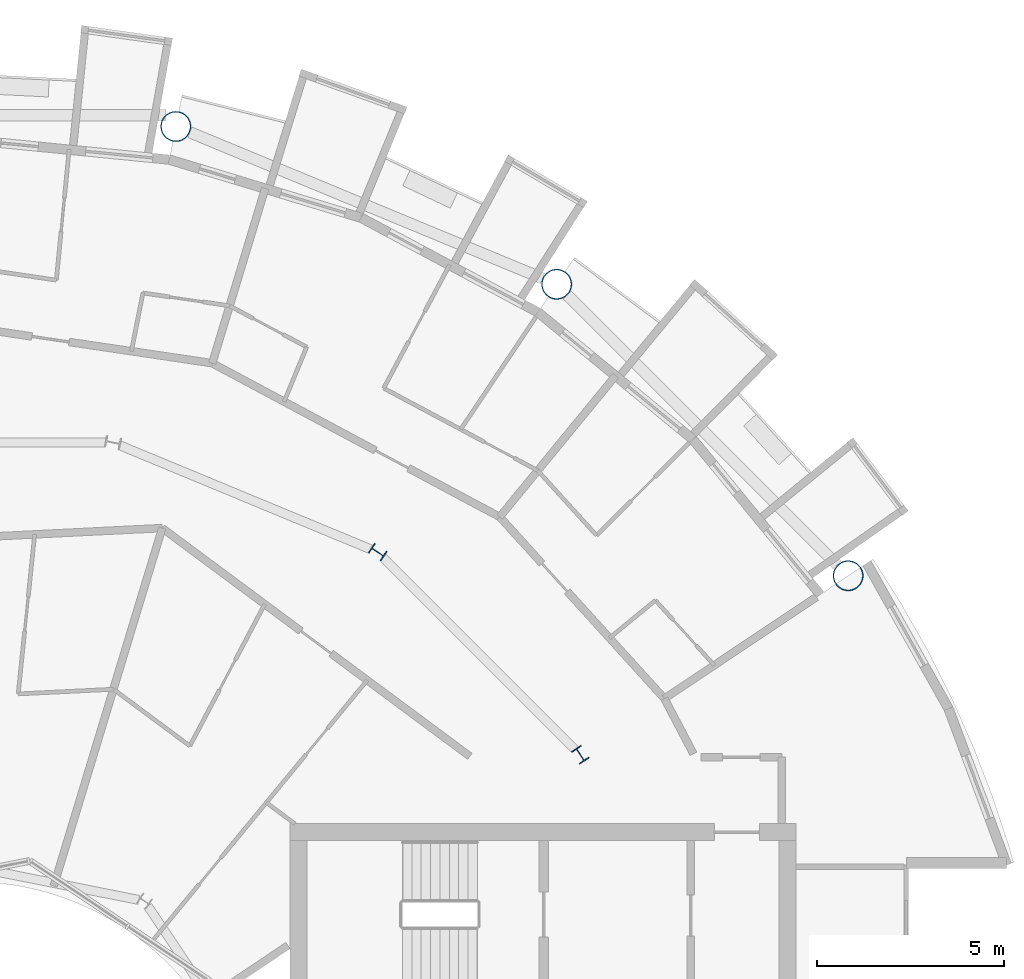
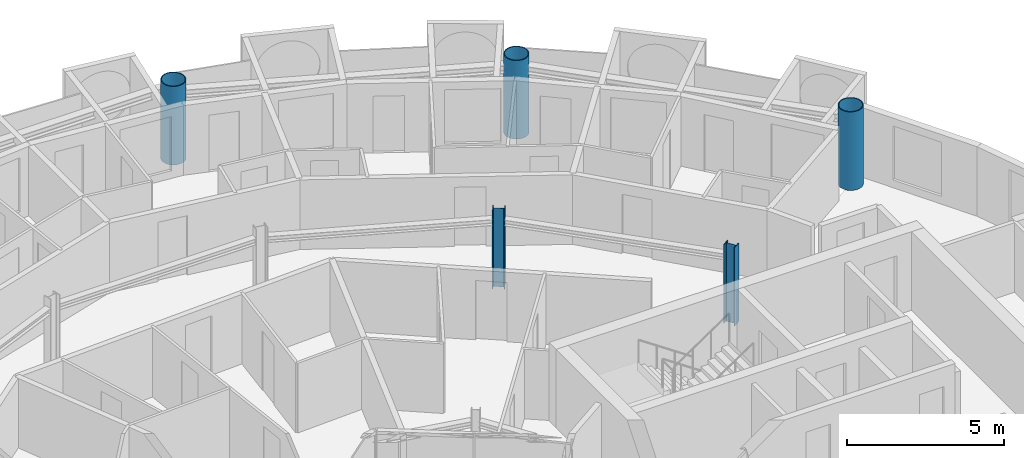
# One storey, part 5 of 29: 5 columns.
"""IFC4 building model written with IfcOpenShell, lengths in metres."""

from ifc_helpers import new_model, si_unit, direction, frame, origin, origin_2d, place, context, subcontext, project, spatial, hollow_circle, i_section, extrude, material, material_profile, profile_set, type_object, element, save


model = new_model("IFC4")

# Units and contexts
model_context = context("Model", 3, precision=1e-05, world=origin(), true_north=direction((0.0, 1.0)))
body_context = subcontext(model_context, "Body", "Model", "MODEL_VIEW")
ifc_project = project(units=[si_unit("LENGTHUNIT", "METRE"), si_unit("AREAUNIT", "SQUARE_METRE"), si_unit("VOLUMEUNIT", "CUBIC_METRE"), si_unit("PLANEANGLEUNIT", "RADIAN"), si_unit("MASSUNIT", "GRAM", prefix="KILO")], contexts=[model_context])

# Site, building, storey
site_placement = place(None, origin())
site = spatial("IfcSite", under=ifc_project, at=site_placement, CompositionType="ELEMENT")
building_placement = place(site_placement, origin())
building = spatial("IfcBuilding", under=site, at=building_placement, Name="Maasbend Ring Residences", CompositionType="ELEMENT")
storey_placement = place(building_placement, frame((0.0, 0.0, 202.39990234375)))
storey = spatial("IfcBuildingStorey", under=building, at=storey_placement, Name="L58", CompositionType="ELEMENT", Elevation=202.39990234375)

# Columns
ifc_material_1 = material(Name="Composite concrete-filled steel tube S460NH / C80/95", Category="concrete")
ifc_material_profile_1 = material_profile(ifc_material_1, hollow_circle(Radius=0.406494140625, WallThickness=0.030029296875, at=origin_2d()), Name="Composite tube column CHS 813x30")
ifc_profile_set_1 = profile_set([ifc_material_profile_1], Name="Composite concrete-filled steel tube S460NH / C80/95")
column_type_1 = type_object("IfcColumnType", Name="Composite tube column CHS 813x30", PredefinedType="COLUMN", material=ifc_profile_set_1)
for number, where, z_axis, x_axis, name in (
    (1, (23.447509765625, 15.6669921875, 0.0), (0.0, 0.0, 1.0), (1.0, 0.0, 0.0), "Outer column R2"),
    (2, (15.6669921875, 23.447509765625, 0.0), (0.0, 0.0, 1.0), (1.0, 0.0, 0.0), "Outer column R3"),
    (3, (5.50146484375, 27.658203125, 0.0), (0.0, 0.0, 1.0), (1.0, 0.0, 0.0), "Outer column R4"),
):
    element("IfcColumn", number, at=place(storey_placement, frame(where, z_axis=z_axis, x_axis=x_axis)), inside=storey, type_object=column_type_1, Name=name, PredefinedType="COLUMN", context=body_context, shape_type="SweptSolid", body=[
        extrude(hollow_circle(Radius=0.406494140625, WallThickness=0.030029296875, at=origin_2d()), origin(), (0.0, 0.0, 1.0), 3.050048828125),
    ])
ifc_material_2 = material(Name="Steel S355J2", Category="steel")
ifc_material_profile_2 = material_profile(ifc_material_2, i_section(OverallWidth=0.300048828125, OverallDepth=0.39990234375, WebThickness=0.013427734375, FlangeThickness=0.02392578125, FilletRadius=0.027099609375, at=origin_2d()), Name="HEB 400")
ifc_profile_set_2 = profile_set([ifc_material_profile_2], Name="Steel S355J2")
column_type_2 = type_object("IfcColumnType", Name="Steel column HEB 400", PredefinedType="COLUMN", material=ifc_profile_set_2)
for number, where, z_axis, x_axis, name in (
    (4, (16.296875, 10.88916015625, 0.0), (0.0, 0.0, 1.0), (0.831469612303, 0.55557023302, 0.0), "Corridor ring column R2"),
    (5, (10.88916015625, 16.296875, 0.0), (0.0, 0.0, 1.0), (0.55557023302, 0.831469612303, 0.0), "Corridor ring column R3"),
):
    element("IfcColumn", number, at=place(storey_placement, frame(where, z_axis=z_axis, x_axis=x_axis)), inside=storey, type_object=column_type_2, Name=name, PredefinedType="COLUMN", context=body_context, shape_type="SweptSolid", body=[
        extrude(i_section(OverallWidth=0.300048828125, OverallDepth=0.39990234375, WebThickness=0.013427734375, FlangeThickness=0.02392578125, FilletRadius=0.027099609375, at=origin_2d()), origin(), (0.0, 0.0, 1.0), 3.050048828125),
    ])

save(model, "model.ifc")
